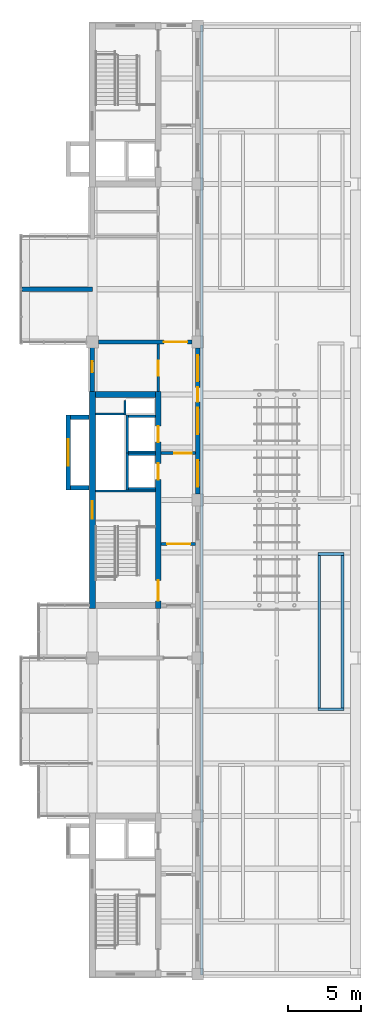
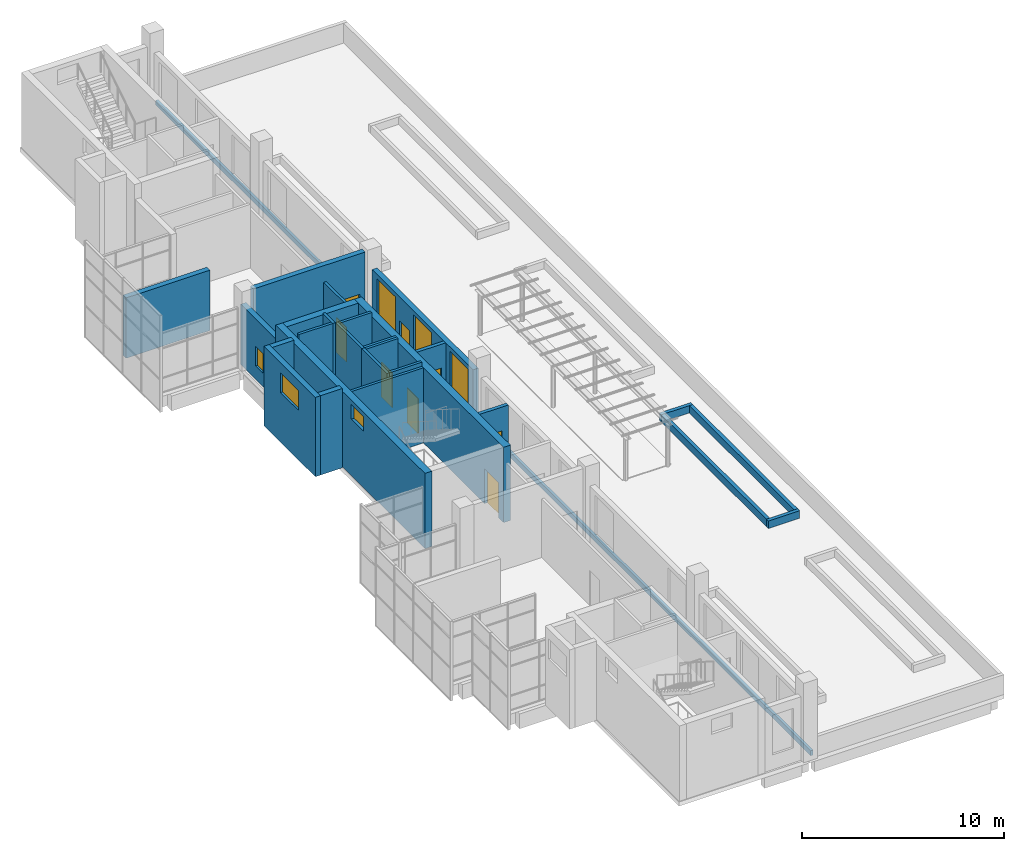
# One storey, part 13 of 16: 27 walls, 8 doors, 6 windows, 14 openings.
"""IFC4 building model written with IfcOpenShell, lengths in metres."""

from ifc_helpers import new_model, si_unit, direction, frame, frame_2d, origin, place, context, subcontext, project, spatial, rectangle, extrude, material, layer, layer_set, type_object, element, fill, save


model = new_model("IFC4")

# Units and contexts
model_context = context("Model", 3, precision=1e-05, world=origin(), true_north=direction((0.0, 1.0)))
body_context = subcontext(model_context, "Body", "Model", "MODEL_VIEW")
ifc_project = project(units=[si_unit("LENGTHUNIT", "METRE"), si_unit("AREAUNIT", "SQUARE_METRE"), si_unit("VOLUMEUNIT", "CUBIC_METRE"), si_unit("PLANEANGLEUNIT", "RADIAN"), si_unit("MASSUNIT", "GRAM", prefix="KILO")], contexts=[model_context])

# Site, building, storey
site_placement = place(None, origin())
site = spatial("IfcSite", under=ifc_project, at=site_placement, CompositionType="ELEMENT")
building_placement = place(site_placement, origin())
building = spatial("IfcBuilding", under=site, at=building_placement, Name="Basin Gate Institute", CompositionType="ELEMENT")
storey_placement = place(building_placement, frame((0.0, 0.0, 65.39990234375)))
storey = spatial("IfcBuildingStorey", under=building, at=storey_placement, Name="L13", CompositionType="ELEMENT", Elevation=65.39990234375)

# Wall
ifc_material_1 = material(Name="Aluminium-faced insulated panel wall", Category="aluminium")
ifc_layer_1 = layer(ifc_material_1, 0.300048828125)
ifc_layer_set_1 = layer_set([ifc_layer_1], Name="Capsule side wall EW2 EI 120")
wall_type_1 = type_object("IfcWallType", Name="Capsule side wall EW2 EI 120", PredefinedType="STANDARD", material=ifc_layer_set_1)
wall_1_placement = place(storey_placement, frame((56.39990234375, 81.89990234375, 0.0), z_axis=(0.0, 0.0, 1.0), x_axis=(1.0, 0.0, 0.0)))
element("IfcWall", 1, at=wall_1_placement, inside=storey, type_object=wall_type_1, material=ifc_layer_set_1, Name="Capsule side wall W wing L13 line 14", PredefinedType="STANDARD", context=body_context, shape_type="SweptSolid", body=[
    extrude(rectangle(XDim=4.800048828125, YDim=0.300048828125, at=frame_2d((2.39990234375, 0.0))), origin(), (0.0, 0.0, 1.0), 3.650146484375),
])

# Wall, opening, door
ifc_material_2 = material(Name="Fire-rated masonry", Category="masonry")
ifc_layer_2 = layer(ifc_material_2, 0.199951171875)
ifc_layer_set_2 = layer_set([ifc_layer_2], Name="Enclosure wall PW2 200 EI 60")
wall_type_2 = type_object("IfcWallType", Name="Enclosure wall PW2 200 EI 60", PredefinedType="PARTITIONING", material=ifc_layer_set_2)
wall_2_placement = place(storey_placement, frame((65.89990234375, 64.5, 0.0), z_axis=(0.0, 0.0, 1.0), x_axis=(1.0, 0.0, 0.0)))
wall_2 = element("IfcWall", 2, at=wall_2_placement, inside=storey, type_object=wall_type_2, material=ifc_layer_set_2, Name="Smoke lobby enclosure wall PW2 L13", PredefinedType="PARTITIONING", context=body_context, shape_type="SweptSolid", body=[
    extrude(rectangle(XDim=2.35009765625, YDim=0.199951171875, at=frame_2d((1.175048828125, 0.0))), origin(), (0.0, 0.0, 1.0), 3.550048828125),
])
opening_1_placement = place(wall_2_placement, frame((0.39990234375, 0.0, 0.0)))
opening_1 = element("IfcOpeningElement", 3, at=opening_1_placement, cuts=wall_2, Name="Opening DR514", PredefinedType="OPENING", context=body_context, shape_type="SweptSolid", body=[
    extrude(rectangle(XDim=1.60009765625, YDim=2.10009765625, at=frame_2d((0.800048828125, 1.050048828125))), frame((0.0, 0.10986328125, 0.0), z_axis=(0.0, -1.0, 0.0), x_axis=(1.0, 0.0, 0.0)), (0.0, 0.0, 1.0), 0.219970703125),
])
ifc_material_3 = material(Name="Steel fire door", Category="steel")
door_type_1 = type_object("IfcDoorType", Name="FD60 Smoke lobby door pair D8", OperationType="DOUBLE_DOOR_SINGLE_SWING", PredefinedType="DOOR", material=ifc_material_3)
door_1_placement = place(opening_1_placement, frame((1.60009765625, 0.0, 0.0), z_axis=(0.0, 0.0, 1.0), x_axis=(-1.0, 0.0, 0.0)))
door_1 = element("IfcDoor", 4, at=door_1_placement, inside=storey, type_object=door_type_1, material=ifc_material_3, Name="Smoke lobby door SS2 L13", OperationType="DOUBLE_DOOR_SINGLE_SWING", OverallHeight=2.10009765625, OverallWidth=1.60009765625, PredefinedType="DOOR", context=body_context, shape_type="SweptSolid", body=[
    extrude(rectangle(XDim=1.60009765625, YDim=2.10009765625, at=frame_2d((0.800048828125, 1.050048828125))), frame((0.0, 0.02490234375, 0.0), z_axis=(0.0, -1.0, 0.0), x_axis=(1.0, 0.0, 0.0)), (0.0, 0.0, 1.0), 0.050048828125),
])
fill(opening_1, door_1)

wall_3_placement = place(storey_placement, frame((65.89990234375, 70.699951171875, 0.0), z_axis=(0.0, 0.0, 1.0), x_axis=(1.0, 0.0, 0.0)))
wall_3 = element("IfcWall", 5, at=wall_3_placement, inside=storey, type_object=wall_type_2, material=ifc_layer_set_2, Name="Emergency lift lobby wall PW2 L13", PredefinedType="PARTITIONING", context=body_context, shape_type="SweptSolid", body=[
    extrude(rectangle(XDim=2.35009765625, YDim=0.199951171875, at=frame_2d((1.175048828125, 0.0))), origin(), (0.0, 0.0, 1.0), 3.550048828125),
])
opening_2_placement = place(wall_3_placement, frame((0.89990234375, 0.0, 0.0)))
opening_2 = element("IfcOpeningElement", 6, at=opening_2_placement, cuts=wall_3, Name="Opening DR511", PredefinedType="OPENING", context=body_context, shape_type="SweptSolid", body=[
    extrude(rectangle(XDim=1.199951171875, YDim=2.10009765625, at=frame_2d((0.60009765625, 1.050048828125))), frame((0.0, 0.10986328125, 0.0), z_axis=(0.0, -1.0, 0.0), x_axis=(1.0, 0.0, 0.0)), (0.0, 0.0, 1.0), 0.219970703125),
])
ifc_material_4 = material(Name="Steel fire door", Category="steel")
door_type_2 = type_object("IfcDoorType", Name="FD60 Emergency lift lobby door D9", OperationType="NOTDEFINED", PredefinedType="DOOR", material=ifc_material_4)
door_2_placement = place(opening_2_placement, frame((1.199951171875, 0.0, 0.0), z_axis=(0.0, 0.0, 1.0), x_axis=(-1.0, 0.0, 0.0)))
door_2 = element("IfcDoor", 7, at=door_2_placement, inside=storey, type_object=door_type_2, material=ifc_material_4, Name="Emergency lift lobby door LF1 L13", OperationType="SINGLE_SWING_LEFT", OverallHeight=2.10009765625, OverallWidth=1.199951171875, PredefinedType="DOOR", context=body_context, shape_type="SweptSolid", body=[
    extrude(rectangle(XDim=1.199951171875, YDim=2.10009765625, at=frame_2d((0.60009765625, 1.050048828125))), frame((0.0, 0.02490234375, 0.0), z_axis=(0.0, -1.0, 0.0), x_axis=(1.0, 0.0, 0.0)), (0.0, 0.0, 1.0), 0.050048828125),
])
fill(opening_2, door_2)

# Wall, opening, window
ifc_material_5 = material(Name="Aluminium-faced insulated panel wall", Category="aluminium")
ifc_layer_3 = layer(ifc_material_5, 0.300048828125)
ifc_layer_set_3 = layer_set([ifc_layer_3], Name="External wall EW1 EI 120")
wall_type_3 = type_object("IfcWallType", Name="External wall EW1 EI 120", PredefinedType="STANDARD", material=ifc_layer_set_3)
wall_4_placement = place(storey_placement, frame((61.199951171875, 74.89990234375, 0.0), z_axis=(0.0, 0.0, 1.0), x_axis=(0.0, 1.0, 0.0)))
wall_4 = element("IfcWall", 8, at=wall_4_placement, inside=storey, type_object=wall_type_3, material=ifc_layer_set_3, Name="External wall W facade L13 1", PredefinedType="STANDARD", context=body_context, shape_type="SweptSolid", body=[
    extrude(rectangle(XDim=3.550048828125, YDim=0.300048828125, at=frame_2d((1.77490234375, 0.0))), origin(), (0.0, 0.0, 1.0), 3.650146484375),
])
opening_3_placement = place(wall_4_placement, frame((1.324951171875, 0.0, 0.800048828125)))
opening_3 = element("IfcOpeningElement", 9, at=opening_3_placement, cuts=wall_4, Name="Opening WN3", PredefinedType="OPENING", context=body_context, shape_type="SweptSolid", body=[
    extrude(rectangle(XDim=0.75, YDim=1.199951171875, at=frame_2d((0.375, 0.60009765625))), frame((0.0, 0.16015625, 0.0), z_axis=(0.0, -1.0, 0.0), x_axis=(1.0, 0.0, 0.0)), (0.0, 0.0, 1.0), 0.320068359375),
])
ifc_material_6 = material(Name="Aluminium-framed double glazing", Category="aluminium")
window_type_1 = type_object("IfcWindowType", Name="Emergency entry panel WN3", PartitioningType="SINGLE_PANEL", PredefinedType="WINDOW", material=ifc_material_6)
window_1_placement = place(opening_3_placement, origin())
window_1 = element("IfcWindow", 10, at=window_1_placement, inside=storey, type_object=window_type_1, material=ifc_material_6, Name="Emergency entry panel W facade L13 bay 12", OverallHeight=1.199951171875, OverallWidth=0.75, PartitioningType="SINGLE_PANEL", PredefinedType="WINDOW", context=body_context, shape_type="SweptSolid", body=[
    extrude(rectangle(XDim=0.75, YDim=1.199951171875, at=frame_2d((0.375, 0.60009765625))), frame((0.0, 0.030029296875, 0.0), z_axis=(0.0, -1.0, 0.0), x_axis=(1.0, 0.0, 0.0)), (0.0, 0.0, 1.0), 0.06005859375),
])
fill(opening_3, window_1)

# Wall, openings, windows, door
wall_5_placement = place(storey_placement, frame((68.39990234375, 67.89990234375, 0.0), z_axis=(0.0, 0.0, 1.0), x_axis=(0.0, 1.0, 0.0)))
wall_5 = element("IfcWall", 11, at=wall_5_placement, inside=storey, type_object=wall_type_3, material=ifc_layer_set_3, Name="External wall W step face L13 bay 4", PredefinedType="STANDARD", context=body_context, shape_type="SweptSolid", body=[
    extrude(rectangle(XDim=10.0, YDim=0.300048828125, at=frame_2d((5.0, 0.0))), origin(), (0.0, 0.0, 1.0), 3.550048828125),
])
opening_4_placement = place(wall_5_placement, frame((0.5, 0.0, 0.89990234375)))
opening_4 = element("IfcOpeningElement", 12, at=opening_4_placement, cuts=wall_5, Name="Opening WN6", PredefinedType="OPENING", context=body_context, shape_type="SweptSolid", body=[
    extrude(rectangle(XDim=1.800048828125, YDim=2.39990234375, at=frame_2d((0.89990234375, 1.199951171875))), frame((0.0, 0.16015625, 0.0), z_axis=(0.0, -1.0, 0.0), x_axis=(1.0, 0.0, 0.0)), (0.0, 0.0, 1.0), 0.320068359375),
])
opening_5_placement = place(wall_5_placement, frame((4.10009765625, 0.0, 0.89990234375)))
opening_5 = element("IfcOpeningElement", 13, at=opening_5_placement, cuts=wall_5, Name="Opening WV1", PredefinedType="OPENING", context=body_context, shape_type="SweptSolid", body=[
    extrude(rectangle(XDim=1.800048828125, YDim=2.39990234375, at=frame_2d((0.89990234375, 1.199951171875))), frame((0.0, 0.16015625, 0.0), z_axis=(0.0, -1.0, 0.0), x_axis=(1.0, 0.0, 0.0)), (0.0, 0.0, 1.0), 0.320068359375),
])
opening_6_placement = place(wall_5_placement, frame((7.699951171875, 0.0, 0.89990234375)))
opening_6 = element("IfcOpeningElement", 14, at=opening_6_placement, cuts=wall_5, Name="Opening WN1", PredefinedType="OPENING", context=body_context, shape_type="SweptSolid", body=[
    extrude(rectangle(XDim=1.800048828125, YDim=2.39990234375, at=frame_2d((0.89990234375, 1.199951171875))), frame((0.0, 0.16015625, 0.0), z_axis=(0.0, -1.0, 0.0), x_axis=(1.0, 0.0, 0.0)), (0.0, 0.0, 1.0), 0.320068359375),
])
opening_7_placement = place(wall_5_placement, frame((6.300048828125, 0.0, 0.0)))
opening_7 = element("IfcOpeningElement", 15, at=opening_7_placement, cuts=wall_5, Name="Opening DG1", PredefinedType="OPENING", context=body_context, shape_type="SweptSolid", body=[
    extrude(rectangle(XDim=1.0, YDim=2.10009765625, at=frame_2d((0.5, 1.050048828125))), frame((0.0, 0.16015625, 0.0), z_axis=(0.0, -1.0, 0.0), x_axis=(1.0, 0.0, 0.0)), (0.0, 0.0, 1.0), 0.320068359375),
])
ifc_material_7 = material(Name="Aluminium-framed double glazing", Category="aluminium")
window_type_2 = type_object("IfcWindowType", Name="Facade window WN1", PartitioningType="SINGLE_PANEL", PredefinedType="WINDOW", material=ifc_material_7)
window_2_placement = place(opening_6_placement, origin())
window_2 = element("IfcWindow", 16, at=window_2_placement, inside=storey, type_object=window_type_2, material=ifc_material_7, Name="Facade window W step face L13 bay 4.3", OverallHeight=2.39990234375, OverallWidth=1.800048828125, PartitioningType="SINGLE_PANEL", PredefinedType="WINDOW", context=body_context, shape_type="SweptSolid", body=[
    extrude(rectangle(XDim=1.800048828125, YDim=2.39990234375, at=frame_2d((0.89990234375, 1.199951171875))), frame((0.0, 0.030029296875, 0.0), z_axis=(0.0, -1.0, 0.0), x_axis=(1.0, 0.0, 0.0)), (0.0, 0.0, 1.0), 0.06005859375),
])
fill(opening_6, window_2)
ifc_material_8 = material(Name="Fire-resistant glazing in steel-free frame", Category="steel")
window_type_3 = type_object("IfcWindowType", Name="Fire-rated fixed step window WN6", PartitioningType="SINGLE_PANEL", PredefinedType="WINDOW", material=ifc_material_8)
window_3_placement = place(opening_4_placement, origin())
window_3 = element("IfcWindow", 17, at=window_3_placement, inside=storey, type_object=window_type_3, material=ifc_material_8, Name="Fire-rated fixed step window W step face L13 bay 4.1", OverallHeight=2.39990234375, OverallWidth=1.800048828125, PartitioningType="SINGLE_PANEL", PredefinedType="WINDOW", context=body_context, shape_type="SweptSolid", body=[
    extrude(rectangle(XDim=1.800048828125, YDim=2.39990234375, at=frame_2d((0.89990234375, 1.199951171875))), frame((0.0, 0.030029296875, 0.0), z_axis=(0.0, -1.0, 0.0), x_axis=(1.0, 0.0, 0.0)), (0.0, 0.0, 1.0), 0.06005859375),
])
fill(opening_4, window_3)
ifc_material_9 = material(Name="Steel fire door", Category="steel")
door_type_3 = type_object("IfcDoorType", Name="Garden door DG1", OperationType="NOTDEFINED", PredefinedType="DOOR", material=ifc_material_9)
door_3_placement = place(opening_7_placement, frame((1.0, 0.0, 0.0), z_axis=(0.0, 0.0, 1.0), x_axis=(-1.0, 0.0, 0.0)))
door_3 = element("IfcDoor", 18, at=door_3_placement, inside=storey, type_object=door_type_3, material=ifc_material_9, Name="Garden door DG1 L13 W", OperationType="SINGLE_SWING_LEFT", OverallHeight=2.10009765625, OverallWidth=1.0, PredefinedType="DOOR", context=body_context, shape_type="SweptSolid", body=[
    extrude(rectangle(XDim=1.0, YDim=2.10009765625, at=frame_2d((0.5, 1.050048828125))), frame((0.0, 0.02490234375, 0.0), z_axis=(0.0, -1.0, 0.0), x_axis=(1.0, 0.0, 0.0)), (0.0, 0.0, 1.0), 0.050048828125),
])
fill(opening_7, door_3)
ifc_material_10 = material(Name="Aluminium louvre blades", Category="aluminium")
window_type_4 = type_object("IfcWindowType", Name="Services louvre panel WV1", PartitioningType="SINGLE_PANEL", PredefinedType="WINDOW", material=ifc_material_10)
window_4_placement = place(opening_5_placement, origin())
window_4 = element("IfcWindow", 19, at=window_4_placement, inside=storey, type_object=window_type_4, material=ifc_material_10, Name="Services louvre panel W step face L13 bay 4.2", OverallHeight=2.39990234375, OverallWidth=1.800048828125, PartitioningType="SINGLE_PANEL", PredefinedType="WINDOW", context=body_context, shape_type="SweptSolid", body=[
    extrude(rectangle(XDim=1.800048828125, YDim=2.39990234375, at=frame_2d((0.89990234375, 1.199951171875))), frame((0.0, 0.030029296875, 0.0), z_axis=(0.0, -1.0, 0.0), x_axis=(1.0, 0.0, 0.0)), (0.0, 0.0, 1.0), 0.06005859375),
])
fill(opening_5, window_4)

# Wall, opening, door
ifc_material_11 = material(Name="Gypsum board on steel stud", Category="steel")
ifc_layer_4 = layer(ifc_material_11, 0.14990234375)
ifc_layer_set_4 = layer_set([ifc_layer_4], Name="Gypsum board on steel stud")
wall_type_4 = type_object("IfcWallType", Name="Partition PW1 150 EI 60", PredefinedType="PARTITIONING", material=ifc_layer_set_4)
wall_6_placement = place(storey_placement, frame((65.699951171875, 74.89990234375, 0.0), z_axis=(0.0, 0.0, 1.0), x_axis=(0.0, 1.0, 0.0)))
wall_6 = element("IfcWall", 20, at=wall_6_placement, inside=storey, type_object=wall_type_4, material=ifc_layer_set_4, Name="Corridor wall PW1 L13", PredefinedType="PARTITIONING", context=body_context, shape_type="SweptSolid", body=[
    extrude(rectangle(XDim=3.25, YDim=0.14990234375, at=frame_2d((1.625, 0.0))), origin(), (0.0, 0.0, 1.0), 3.550048828125),
])
opening_8_placement = place(wall_6_placement, frame((1.10009765625, 0.0, 0.0)))
opening_8 = element("IfcOpeningElement", 21, at=opening_8_placement, cuts=wall_6, Name="Opening DR506", PredefinedType="OPENING", context=body_context, shape_type="SweptSolid", body=[
    extrude(rectangle(XDim=1.0, YDim=2.10009765625, at=frame_2d((0.5, 1.050048828125))), frame((0.0, 0.0849609375, 0.0), z_axis=(0.0, -1.0, 0.0), x_axis=(1.0, 0.0, 0.0)), (0.0, 0.0, 1.0), 0.169921875),
])
ifc_material_12 = material(Name="Timber fire door", Category="wood")
door_type_4 = type_object("IfcDoorType", Name="FD30 Toilet door D3", OperationType="NOTDEFINED", PredefinedType="DOOR", material=ifc_material_12)
door_4_placement = place(opening_8_placement, origin())
door_4 = element("IfcDoor", 22, at=door_4_placement, inside=storey, type_object=door_type_4, material=ifc_material_12, Name="Door to Female WC L13", OperationType="SINGLE_SWING_LEFT", OverallHeight=2.10009765625, OverallWidth=1.0, PredefinedType="DOOR", context=body_context, shape_type="SweptSolid", body=[
    extrude(rectangle(XDim=1.0, YDim=2.10009765625, at=frame_2d((0.5, 1.050048828125))), frame((0.0, 0.02490234375, 0.0), z_axis=(0.0, -1.0, 0.0), x_axis=(1.0, 0.0, 0.0)), (0.0, 0.0, 1.0), 0.050048828125),
])
fill(opening_8, door_4)

# Walls
ifc_material_13 = material(Name="Concrete 40 MPa", Category="concrete")
ifc_layer_5 = layer(ifc_material_13, 0.199951171875)
ifc_layer_set_5 = layer_set([ifc_layer_5], Name="Concrete 40 MPa")
wall_type_5 = type_object("IfcWallType", Name="Planter wall PT1", PredefinedType="SOLIDWALL", material=ifc_layer_set_5)
for number, where, z_axis, x_axis, name in (
    (23, (76.60009765625, 53.199951171875, 0.0), (0.0, 0.0, 1.0), (1.0, 0.0, 0.0), "Planter wall PT1 W2"),
    (24, (76.60009765625, 63.800048828125, 0.0), (0.0, 0.0, 1.0), (1.0, 0.0, 0.0), "Planter wall PT1 W2"),
):
    element("IfcWall", number, at=place(storey_placement, frame(where, z_axis=z_axis, x_axis=x_axis)), inside=storey, type_object=wall_type_5, material=ifc_layer_set_5, Name=name, PredefinedType="SOLIDWALL", context=body_context, shape_type="SweptSolid", body=[
        extrude(rectangle(XDim=1.7998046875, YDim=0.199951171875, at=frame_2d((0.89990234375, 0.0))), origin(), (0.0, 0.0, 1.0), 0.4501953125),
    ])
for number, where, z_axis, x_axis, name in (
    (25, (76.699951171875, 53.300048828125, 0.0), (0.0, 0.0, 1.0), (0.0, 1.0, 0.0), "Planter wall PT1 W2"),
    (26, (78.300048828125, 53.300048828125, 0.0), (0.0, 0.0, 1.0), (0.0, 1.0, 0.0), "Planter wall PT1 W2"),
):
    element("IfcWall", number, at=place(storey_placement, frame(where, z_axis=z_axis, x_axis=x_axis)), inside=storey, type_object=wall_type_5, material=ifc_layer_set_5, Name=name, PredefinedType="SOLIDWALL", context=body_context, shape_type="SweptSolid", body=[
        extrude(rectangle(XDim=10.39990234375, YDim=0.199951171875, at=frame_2d((5.199951171875, 0.0))), origin(), (0.0, 0.0, 1.0), 0.4501953125),
    ])
ifc_material_14 = material(Name="Concrete 40 MPa", Category="concrete")
ifc_layer_6 = layer(ifc_material_14, 0.14990234375)
ifc_layer_set_6 = layer_set([ifc_layer_6], Name="Concrete 40 MPa")
wall_type_6 = type_object("IfcWallType", Name="Upstand wall UP1", PredefinedType="PARAPET", material=ifc_layer_set_6)
wall_7_placement = place(storey_placement, frame((68.675048828125, 35.050048828125, 0.0), z_axis=(0.0, 0.0, 1.0), x_axis=(0.0, 1.0, 0.0)))
element("IfcWall", 27, at=wall_7_placement, inside=storey, type_object=wall_type_6, material=ifc_layer_set_6, Name="Upstand wall UP1 L13 W", PredefinedType="PARAPET", context=body_context, shape_type="SweptSolid", body=[
    extrude(rectangle(XDim=64.89990234375, YDim=0.14990234375, at=frame_2d((32.449951171875, 0.0))), origin(), (0.0, 0.0, 1.0), 0.300048828125),
])
ifc_material_15 = material(Name="Concrete 40 MPa", Category="concrete")
ifc_layer_7 = layer(ifc_material_15, 0.14990234375)
ifc_layer_set_7 = layer_set([ifc_layer_7], Name="Concrete 40 MPa")
wall_type_7 = type_object("IfcWallType", Name="Wall LS1 lift shaft enclosure R120", PredefinedType="SOLIDWALL", material=ifc_layer_set_7)
wall_8_placement = place(storey_placement, frame((63.574951171875, 68.199951171875, 0.0), z_axis=(0.0, 0.0, 1.0), x_axis=(0.0, 1.0, 0.0)))
element("IfcWall", 28, at=wall_8_placement, inside=storey, type_object=wall_type_7, material=ifc_layer_set_7, Name="Lift shaft enclosure LF1 L13 UL", PredefinedType="SOLIDWALL", context=body_context, shape_type="SweptSolid", body=[
    extrude(rectangle(XDim=2.5, YDim=0.14990234375, at=frame_2d((1.25, 0.0))), origin(), (0.0, 0.0, 1.0), 4.800048828125),
])
for number, where, z_axis, x_axis, name in (
    (29, (63.64990234375, 68.27490234375, 0.0), (0.0, 0.0, 1.0), (1.0, 0.0, 0.0), "Lift shaft enclosure LF1 L13 RL"),
    (30, (63.64990234375, 70.625, 0.0), (0.0, 0.0, 1.0), (1.0, 0.0, 0.0), "Lift shaft enclosure LF1 L13 RH"),
):
    element("IfcWall", number, at=place(storey_placement, frame(where, z_axis=z_axis, x_axis=x_axis)), inside=storey, type_object=wall_type_7, material=ifc_layer_set_7, Name=name, PredefinedType="SOLIDWALL", context=body_context, shape_type="SweptSolid", body=[
        extrude(rectangle(XDim=1.85009765625, YDim=0.14990234375, at=frame_2d((0.925048828125, 0.0))), origin(), (0.0, 0.0, 1.0), 4.800048828125),
    ])
wall_9_placement = place(storey_placement, frame((63.574951171875, 70.699951171875, 0.0), z_axis=(0.0, 0.0, 1.0), x_axis=(0.0, 1.0, 0.0)))
element("IfcWall", 31, at=wall_9_placement, inside=storey, type_object=wall_type_7, material=ifc_layer_set_7, Name="Lift shaft enclosure LP2 L13 UL", PredefinedType="SOLIDWALL", context=body_context, shape_type="SweptSolid", body=[
    extrude(rectangle(XDim=2.60009765625, YDim=0.14990234375, at=frame_2d((1.300048828125, 0.0))), origin(), (0.0, 0.0, 1.0), 4.800048828125),
])
for number, where, z_axis, x_axis, name in (
    (32, (63.64990234375, 70.77490234375, 0.0), (0.0, 0.0, 1.0), (1.0, 0.0, 0.0), "Lift shaft enclosure LP2 L13 RL"),
    (33, (63.64990234375, 73.22509765625, 0.0), (0.0, 0.0, 1.0), (1.0, 0.0, 0.0), "Lift shaft enclosure LP2 L13 RH"),
):
    element("IfcWall", number, at=place(storey_placement, frame(where, z_axis=z_axis, x_axis=x_axis)), inside=storey, type_object=wall_type_7, material=ifc_layer_set_7, Name=name, PredefinedType="SOLIDWALL", context=body_context, shape_type="SweptSolid", body=[
        extrude(rectangle(XDim=1.85009765625, YDim=0.14990234375, at=frame_2d((0.925048828125, 0.0))), origin(), (0.0, 0.0, 1.0), 4.800048828125),
    ])
ifc_material_16 = material(Name="Concrete 40 MPa", Category="concrete")
ifc_layer_8 = layer(ifc_material_16, 0.14990234375)
ifc_layer_set_8 = layer_set([ifc_layer_8], Name="Concrete 40 MPa")
wall_type_8 = type_object("IfcWallType", Name="Wall RS1 riser shaft enclosure R120", PredefinedType="SOLIDWALL", material=ifc_layer_set_8)
wall_10_placement = place(storey_placement, frame((61.39990234375, 73.375, 0.0), z_axis=(0.0, 0.0, 1.0), x_axis=(1.0, 0.0, 0.0)))
element("IfcWall", 34, at=wall_10_placement, inside=storey, type_object=wall_type_8, material=ifc_layer_set_8, Name="Riser shaft enclosure WM L13 N", PredefinedType="SOLIDWALL", context=body_context, shape_type="SweptSolid", body=[
    extrude(rectangle(XDim=1.9501953125, YDim=0.14990234375, at=frame_2d((0.97509765625, 0.0))), origin(), (0.0, 0.0, 1.0), 4.800048828125),
])
wall_11_placement = place(storey_placement, frame((63.425048828125, 73.300048828125, 0.0), z_axis=(0.0, 0.0, 1.0), x_axis=(0.0, 1.0, 0.0)))
element("IfcWall", 35, at=wall_11_placement, inside=storey, type_object=wall_type_8, material=ifc_layer_set_8, Name="Riser shaft enclosure WM L13 W", PredefinedType="SOLIDWALL", context=body_context, shape_type="SweptSolid", body=[
    extrude(rectangle(XDim=1.0, YDim=0.14990234375, at=frame_2d((0.5, 0.0))), origin(), (0.0, 0.0, 1.0), 4.800048828125),
])
ifc_material_17 = material(Name="Concrete 40 MPa", Category="concrete")
ifc_layer_9 = layer(ifc_material_17, 0.14990234375)
ifc_layer_set_9 = layer_set([ifc_layer_9], Name="Concrete 40 MPa")
wall_type_9 = type_object("IfcWallType", Name="Wall SE1 stair enclosure R120", PredefinedType="SOLIDWALL", material=ifc_layer_set_9)
wall_12_placement = place(storey_placement, frame((61.39990234375, 68.125, 0.0), z_axis=(0.0, 0.0, 1.0), x_axis=(1.0, 0.0, 0.0)))
element("IfcWall", 36, at=wall_12_placement, inside=storey, type_object=wall_type_9, material=ifc_layer_set_9, Name="Stair enclosure wall ST-WM L13", PredefinedType="SOLIDWALL", context=body_context, shape_type="SweptSolid", body=[
    extrude(rectangle(XDim=4.10009765625, YDim=0.14990234375, at=frame_2d((2.050048828125, 0.0))), origin(), (0.0, 0.0, 1.0), 4.550048828125),
])

# Wall, opening, window
ifc_material_18 = material(Name="Concrete 50 MPa", Category="concrete")
ifc_layer_10 = layer(ifc_material_18, 0.300048828125)
ifc_layer_set_10 = layer_set([ifc_layer_10], Name="Concrete 50 MPa")
wall_type_10 = type_object("IfcWallType", Name="Wall SK1 R120", PredefinedType="SHEAR", material=ifc_layer_set_10)
wall_13_placement = place(storey_placement, frame((59.550048828125, 68.199951171875, 0.0), z_axis=(0.0, 0.0, 1.0), x_axis=(0.0, 1.0, 0.0)))
wall_13 = element("IfcWall", 37, at=wall_13_placement, inside=storey, type_object=wall_type_10, material=ifc_layer_set_10, Name="Spine riser stack wall SK1 WM F L13", PredefinedType="SHEAR", context=body_context, shape_type="SweptSolid", body=[
    extrude(rectangle(XDim=5.10009765625, YDim=0.300048828125, at=frame_2d((2.550048828125, 0.0))), origin(), (0.0, 0.0, 1.0), 4.800048828125),
])
opening_9_placement = place(wall_13_placement, frame((1.64990234375, 0.0, 3.0)))
opening_9 = element("IfcOpeningElement", 38, at=opening_9_placement, cuts=wall_13, Name="Opening WL2", PredefinedType="OPENING", context=body_context, shape_type="SweptSolid", body=[
    extrude(rectangle(XDim=1.800048828125, YDim=1.199951171875, at=frame_2d((0.89990234375, 0.60009765625))), frame((0.0, 0.16015625, 0.0), z_axis=(0.0, -1.0, 0.0), x_axis=(1.0, 0.0, 0.0)), (0.0, 0.0, 1.0), 0.320068359375),
])
ifc_material_19 = material(Name="Aluminium louvre blades with fire damper", Category="aluminium")
window_type_5 = type_object("IfcWindowType", Name="Riser louvre EI 120 WL2", PartitioningType="SINGLE_PANEL", PredefinedType="WINDOW", material=ifc_material_19)
window_5_placement = place(opening_9_placement, origin())
window_5 = element("IfcWindow", 39, at=window_5_placement, inside=storey, type_object=window_type_5, material=ifc_material_19, Name="Riser louvre EI 120 WM riser 1 L13", OverallHeight=1.199951171875, OverallWidth=1.800048828125, PartitioningType="SINGLE_PANEL", PredefinedType="WINDOW", context=body_context, shape_type="SweptSolid", body=[
    extrude(rectangle(XDim=1.800048828125, YDim=1.199951171875, at=frame_2d((0.89990234375, 0.60009765625))), frame((0.0, 0.030029296875, 0.0), z_axis=(0.0, -1.0, 0.0), x_axis=(1.0, 0.0, 0.0)), (0.0, 0.0, 1.0), 0.06005859375),
])
fill(opening_9, window_5)

# Walls
for number, where, z_axis, x_axis, name in (
    (40, (60.949951171875, 68.35009765625, 0.0), (0.0, 0.0, 1.0), (-1.0, 0.0, 0.0), "Spine riser stack wall SK1 WM A L13"),
    (41, (60.949951171875, 73.14990234375, 0.0), (0.0, 0.0, 1.0), (-1.0, 0.0, 0.0), "Spine riser stack wall SK1 WM B L13"),
):
    element("IfcWall", number, at=place(storey_placement, frame(where, z_axis=z_axis, x_axis=x_axis)), inside=storey, type_object=wall_type_10, material=ifc_layer_set_10, Name=name, PredefinedType="SHEAR", context=body_context, shape_type="SweptSolid", body=[
        extrude(rectangle(XDim=1.25, YDim=0.300048828125, at=frame_2d((0.625, 0.0))), origin(), (0.0, 0.0, 1.0), 4.800048828125),
    ])

# Wall, opening, window
ifc_material_20 = material(Name="Concrete 50 MPa", Category="concrete")
ifc_layer_11 = layer(ifc_material_20, 0.39990234375)
ifc_layer_set_11 = layer_set([ifc_layer_11], Name="Concrete 50 MPa")
wall_type_11 = type_object("IfcWallType", Name="Wall SW2 R120", PredefinedType="SHEAR", material=ifc_layer_set_11)
wall_14_placement = place(storey_placement, frame((61.199951171875, 60.10009765625, 0.0), z_axis=(0.0, 0.0, 1.0), x_axis=(0.0, 1.0, 0.0)))
wall_14 = element("IfcWall", 42, at=wall_14_placement, inside=storey, type_object=wall_type_11, material=ifc_layer_set_11, Name="WALL/L13/WM/L", PredefinedType="SHEAR", context=body_context, shape_type="SweptSolid", body=[
    extrude(rectangle(XDim=14.7998046875, YDim=0.39990234375, at=frame_2d((7.39990234375, 0.0))), origin(), (0.0, 0.0, 1.0), 4.550048828125),
])
opening_10_placement = place(wall_14_placement, frame((6.110107421875, 0.0, 3.39990234375)))
opening_10 = element("IfcOpeningElement", 43, at=opening_10_placement, cuts=wall_14, Name="Opening WT2", PredefinedType="OPENING", context=body_context, shape_type="SweptSolid", body=[
    extrude(rectangle(XDim=1.199951171875, YDim=0.89990234375, at=frame_2d((0.60009765625, 0.449951171875))), frame((0.0, 0.2099609375, 0.0), z_axis=(0.0, -1.0, 0.0), x_axis=(1.0, 0.0, 0.0)), (0.0, 0.0, 1.0), 0.419921875),
])
ifc_material_21 = material(Name="Fire-resistant glazing in steel-free frame", Category="steel")
window_type_6 = type_object("IfcWindowType", Name="Rated stair window EI 120 WT2", PartitioningType="SINGLE_PANEL", PredefinedType="WINDOW", material=ifc_material_21)
window_6_placement = place(opening_10_placement, origin())
window_6 = element("IfcWindow", 44, at=window_6_placement, inside=storey, type_object=window_type_6, material=ifc_material_21, Name="Rated stair window EI 120 WM landing L13", OverallHeight=0.89990234375, OverallWidth=1.199951171875, PartitioningType="SINGLE_PANEL", PredefinedType="WINDOW", context=body_context, shape_type="SweptSolid", body=[
    extrude(rectangle(XDim=1.199951171875, YDim=0.89990234375, at=frame_2d((0.60009765625, 0.449951171875))), frame((0.0, 0.030029296875, 0.0), z_axis=(0.0, -1.0, 0.0), x_axis=(1.0, 0.0, 0.0)), (0.0, 0.0, 1.0), 0.06005859375),
])
fill(opening_10, window_6)

# Wall, openings, doors
wall_15_placement = place(storey_placement, frame((65.699951171875, 60.10009765625, 0.0), z_axis=(0.0, 0.0, 1.0), x_axis=(0.0, 1.0, 0.0)))
wall_15 = element("IfcWall", 45, at=wall_15_placement, inside=storey, type_object=wall_type_11, material=ifc_layer_set_11, Name="WALL/L13/WM/C", PredefinedType="SHEAR", context=body_context, shape_type="SweptSolid", body=[
    extrude(rectangle(XDim=14.7998046875, YDim=0.39990234375, at=frame_2d((7.39990234375, 0.0))), origin(), (0.0, 0.0, 1.0), 4.550048828125),
])
opening_11_placement = place(wall_15_placement, frame((0.5, 0.0, 0.0)))
opening_11 = element("IfcOpeningElement", 46, at=opening_11_placement, cuts=wall_15, Name="Opening DS068", PredefinedType="OPENING", context=body_context, shape_type="SweptSolid", body=[
    extrude(rectangle(XDim=1.39990234375, YDim=2.10009765625, at=frame_2d((0.699951171875, 1.050048828125))), frame((0.0, 0.2099609375, 0.0), z_axis=(0.0, -1.0, 0.0), x_axis=(1.0, 0.0, 0.0)), (0.0, 0.0, 1.0), 0.419921875),
])
opening_12_placement = place(wall_15_placement, frame((8.800048828125, 0.0, 0.0)))
opening_12 = element("IfcOpeningElement", 47, at=opening_12_placement, cuts=wall_15, Name="Opening LD033", PredefinedType="OPENING", context=body_context, shape_type="SweptSolid", body=[
    extrude(rectangle(XDim=1.10009765625, YDim=2.10009765625, at=frame_2d((0.550048828125, 1.050048828125))), frame((0.0, 0.2099609375, 0.0), z_axis=(0.0, -1.0, 0.0), x_axis=(1.0, 0.0, 0.0)), (0.0, 0.0, 1.0), 0.419921875),
])
opening_13_placement = place(wall_15_placement, frame((11.35009765625, 0.0, 0.0)))
opening_13 = element("IfcOpeningElement", 48, at=opening_13_placement, cuts=wall_15, Name="Opening LD051", PredefinedType="OPENING", context=body_context, shape_type="SweptSolid", body=[
    extrude(rectangle(XDim=1.10009765625, YDim=2.10009765625, at=frame_2d((0.550048828125, 1.050048828125))), frame((0.0, 0.2099609375, 0.0), z_axis=(0.0, -1.0, 0.0), x_axis=(1.0, 0.0, 0.0)), (0.0, 0.0, 1.0), 0.419921875),
])
ifc_material_22 = material(Name="Steel fire door", Category="steel")
door_type_5 = type_object("IfcDoorType", Name="FD30 Stair enclosure door DS", OperationType="DOUBLE_DOOR_SINGLE_SWING", PredefinedType="DOOR", material=ifc_material_22)
door_5_placement = place(opening_11_placement, origin())
door_5 = element("IfcDoor", 49, at=door_5_placement, inside=storey, type_object=door_type_5, material=ifc_material_22, Name="Stair enclosure door ST-WM L13", OperationType="DOUBLE_DOOR_SINGLE_SWING", OverallHeight=2.10009765625, OverallWidth=1.39990234375, PredefinedType="DOOR", context=body_context, shape_type="SweptSolid", body=[
    extrude(rectangle(XDim=1.39990234375, YDim=2.10009765625, at=frame_2d((0.699951171875, 1.050048828125))), frame((0.0, 0.02490234375, 0.0), z_axis=(0.0, -1.0, 0.0), x_axis=(1.0, 0.0, 0.0)), (0.0, 0.0, 1.0), 0.050048828125),
])
fill(opening_11, door_5)
ifc_material_23 = material(Name="Stainless steel", Category="steel")
door_type_6 = type_object("IfcDoorType", Name="FD60 Lift landing door LD", OperationType="SLIDING_TO_LEFT", PredefinedType="DOOR", material=ifc_material_23)
door_6_placement = place(opening_12_placement, origin())
door_6 = element("IfcDoor", 50, at=door_6_placement, inside=storey, type_object=door_type_6, material=ifc_material_23, Name="Lift landing door LF1 L13", OperationType="SLIDING_TO_LEFT", OverallHeight=2.10009765625, OverallWidth=1.10009765625, PredefinedType="DOOR", context=body_context, shape_type="SweptSolid", body=[
    extrude(rectangle(XDim=1.10009765625, YDim=2.10009765625, at=frame_2d((0.550048828125, 1.050048828125))), frame((0.0, 0.02490234375, 0.0), z_axis=(0.0, -1.0, 0.0), x_axis=(1.0, 0.0, 0.0)), (0.0, 0.0, 1.0), 0.050048828125),
])
fill(opening_12, door_6)
door_7_placement = place(opening_13_placement, origin())
door_7 = element("IfcDoor", 51, at=door_7_placement, inside=storey, type_object=door_type_6, material=ifc_material_23, Name="Lift landing door LP2 L13", OperationType="SLIDING_TO_LEFT", OverallHeight=2.10009765625, OverallWidth=1.10009765625, PredefinedType="DOOR", context=body_context, shape_type="SweptSolid", body=[
    extrude(rectangle(XDim=1.10009765625, YDim=2.10009765625, at=frame_2d((0.550048828125, 1.050048828125))), frame((0.0, 0.02490234375, 0.0), z_axis=(0.0, -1.0, 0.0), x_axis=(1.0, 0.0, 0.0)), (0.0, 0.0, 1.0), 0.050048828125),
])
fill(opening_13, door_7)

# Wall
wall_16_placement = place(storey_placement, frame((61.39990234375, 74.699951171875, 0.0), z_axis=(0.0, 0.0, 1.0), x_axis=(1.0, 0.0, 0.0)))
element("IfcWall", 52, at=wall_16_placement, inside=storey, type_object=wall_type_11, material=ifc_layer_set_11, Name="WALL/L13/WM/N", PredefinedType="SHEAR", context=body_context, shape_type="SweptSolid", body=[
    extrude(rectangle(XDim=4.10009765625, YDim=0.39990234375, at=frame_2d((2.050048828125, 0.0))), origin(), (0.0, 0.0, 1.0), 4.550048828125),
])

# Wall, opening, door
ifc_material_24 = material(Name="Concrete 50 MPa", Category="concrete")
ifc_layer_12 = layer(ifc_material_24, 0.300048828125)
ifc_layer_set_12 = layer_set([ifc_layer_12], Name="Concrete 50 MPa")
wall_type_12 = type_object("IfcWallType", Name="Wall XW1 R120", PredefinedType="SHEAR", material=ifc_layer_set_12)
wall_17_placement = place(storey_placement, frame((61.60009765625, 78.300048828125, 0.0), z_axis=(0.0, 0.0, 1.0), x_axis=(1.0, 0.0, 0.0)))
wall_17 = element("IfcWall", 53, at=wall_17_placement, inside=storey, type_object=wall_type_12, material=ifc_layer_set_12, Name="WALL/L13/WXE/1", PredefinedType="SHEAR", context=body_context, shape_type="SweptSolid", body=[
    extrude(rectangle(XDim=6.39990234375, YDim=0.300048828125, at=frame_2d((3.199951171875, 0.0))), origin(), (0.0, 0.0, 1.0), 4.550048828125),
])
opening_14_placement = place(wall_17_placement, frame((4.487548828125, 0.0, 0.0)))
opening_14 = element("IfcOpeningElement", 54, at=opening_14_placement, cuts=wall_17, Name="Opening DR517", PredefinedType="OPENING", context=body_context, shape_type="SweptSolid", body=[
    extrude(rectangle(XDim=1.60009765625, YDim=2.10009765625, at=frame_2d((0.800048828125, 1.050048828125))), frame((0.0, 0.16015625, 0.0), z_axis=(0.0, -1.0, 0.0), x_axis=(1.0, 0.0, 0.0)), (0.0, 0.0, 1.0), 0.320068359375),
])
ifc_material_25 = material(Name="Steel fire door", Category="steel")
door_type_7 = type_object("IfcDoorType", Name="FD60 Compartment door pair D7", OperationType="DOUBLE_DOOR_SINGLE_SWING", PredefinedType="DOOR", material=ifc_material_25)
door_8_placement = place(opening_14_placement, frame((1.60009765625, 0.0, 0.0), z_axis=(0.0, 0.0, 1.0), x_axis=(-1.0, 0.0, 0.0)))
door_8 = element("IfcDoor", 55, at=door_8_placement, inside=storey, type_object=door_type_7, material=ifc_material_25, Name="Compartment door pair L13 W2 L13", OperationType="DOUBLE_DOOR_SINGLE_SWING", OverallHeight=2.10009765625, OverallWidth=1.60009765625, PredefinedType="DOOR", context=body_context, shape_type="SweptSolid", body=[
    extrude(rectangle(XDim=1.60009765625, YDim=2.10009765625, at=frame_2d((0.800048828125, 1.050048828125))), frame((0.0, 0.02490234375, 0.0), z_axis=(0.0, -1.0, 0.0), x_axis=(1.0, 0.0, 0.0)), (0.0, 0.0, 1.0), 0.050048828125),
])
fill(opening_14, door_8)

save(model, "model.ifc")
